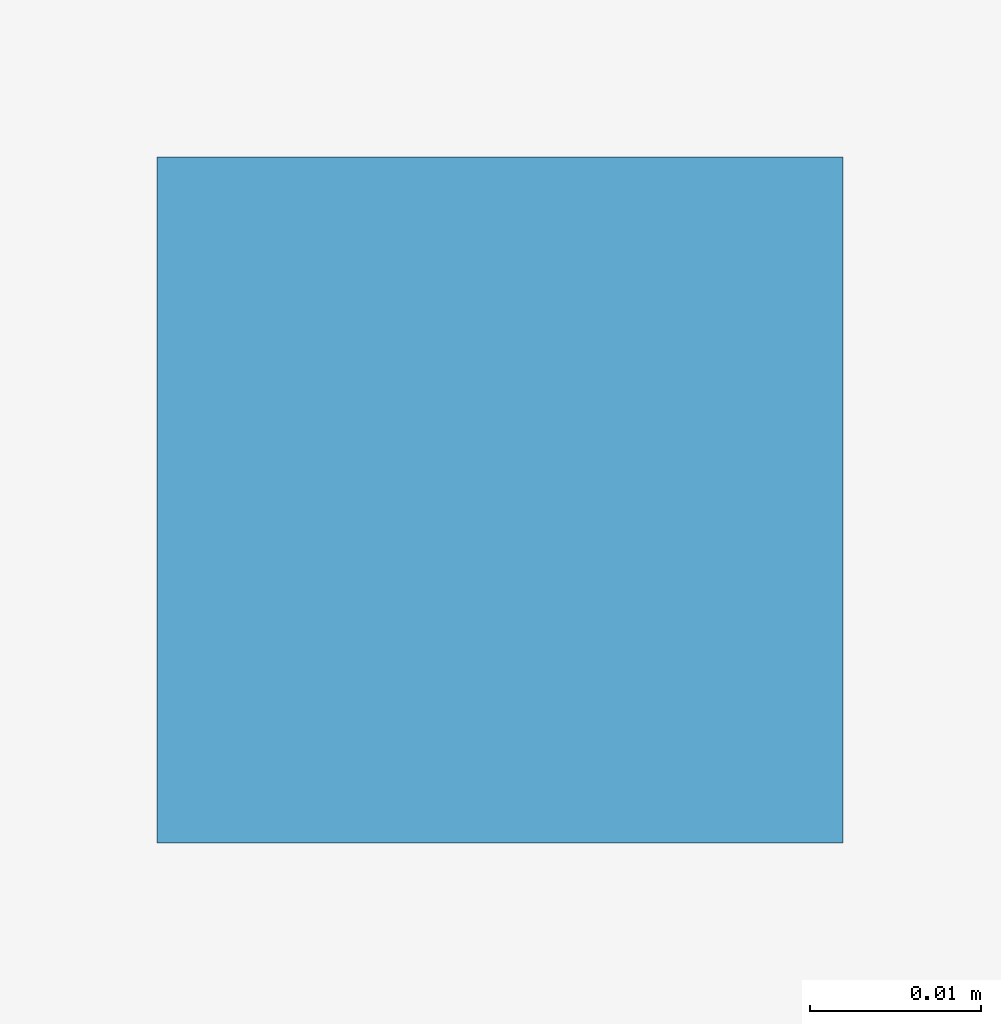
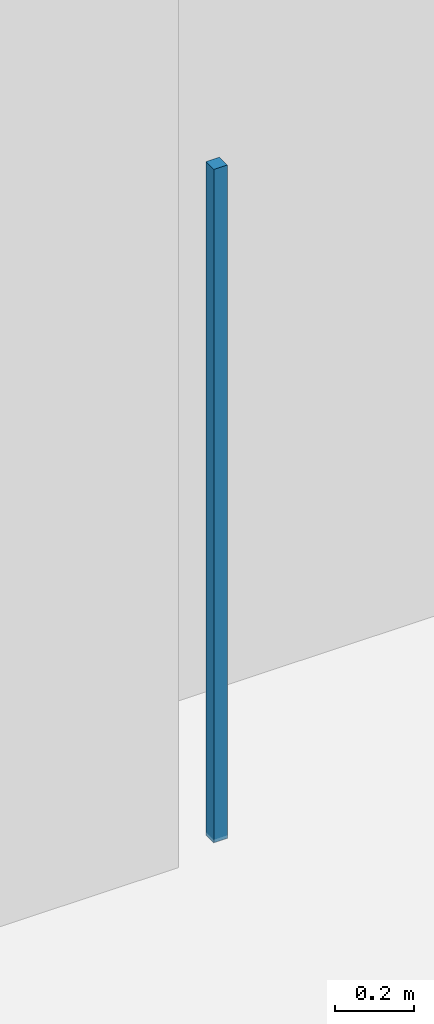
# One storey, part 82 of 167: 1 discrete accessory.
"""IFC4 building model written with IfcOpenShell, lengths in metres."""

from ifc_helpers import new_model, si_unit, direction, frame, origin, origin_2d, place, context, subcontext, project, spatial, rectangle, extrude, material, type_object, element, save


model = new_model("IFC4")

# Units and contexts
model_context = context("Model", 3, precision=1e-05, world=origin(), true_north=direction((0.0, 1.0)))
body_context = subcontext(model_context, "Body", "Model", "MODEL_VIEW")
ifc_project = project(units=[si_unit("LENGTHUNIT", "METRE"), si_unit("AREAUNIT", "SQUARE_METRE"), si_unit("VOLUMEUNIT", "CUBIC_METRE"), si_unit("PLANEANGLEUNIT", "RADIAN"), si_unit("MASSUNIT", "GRAM", prefix="KILO")], contexts=[model_context])

# Site, building, storey
site_placement = place(None, origin())
site = spatial("IfcSite", under=ifc_project, at=site_placement, CompositionType="ELEMENT")
building_placement = place(site_placement, origin())
building = spatial("IfcBuilding", under=site, at=building_placement, Name="Varncliffe General Hospital", CompositionType="ELEMENT")
storey_placement = place(building_placement, origin())
storey = spatial("IfcBuildingStorey", under=building, at=storey_placement, Name="L00", CompositionType="ELEMENT", Elevation=0.0)

# Discrete accessory
ifc_material = material(Name="Powder-coated hospital steel guardrail and handrail", Category="steel")
discrete_accessory_type = type_object("IfcDiscreteAccessoryType", Name="Suspended Ceiling Hanger Bracket CH01", PredefinedType="BRACKET", material=ifc_material)
discrete_accessory_placement = place(storey_placement, frame((6.60009765625, 11.39990234375, 3.18994140625), z_axis=(0.0, 0.0, 1.0), x_axis=(1.0, 0.0, 0.0)))
element("IfcDiscreteAccessory", 1, at=discrete_accessory_placement, inside=storey, type_object=discrete_accessory_type, Name="L00 Suspended Ceiling Hanger 21", PredefinedType="BRACKET", context=body_context, shape_type="SweptSolid", body=[
    extrude(rectangle(XDim=0.0400390625, YDim=0.0400390625, at=origin_2d()), origin(), (0.0, 0.0, 1.0), 2.090087890625),
])

save(model, "model.ifc")
